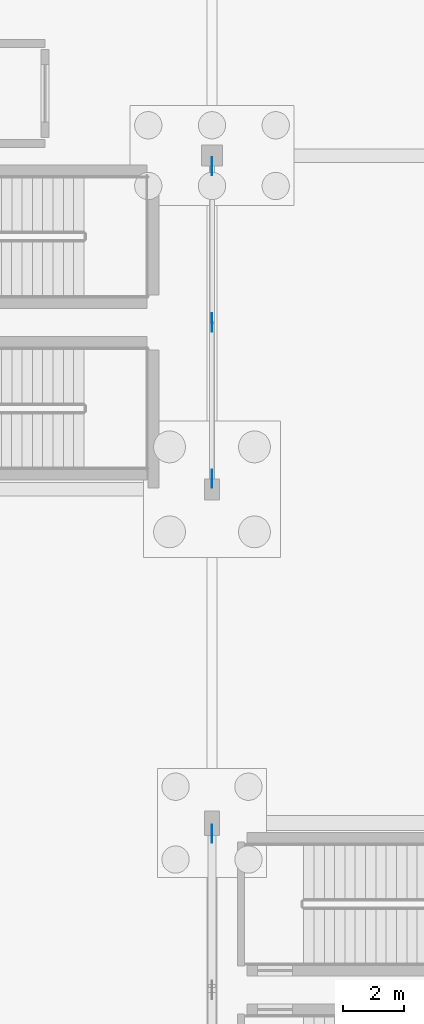
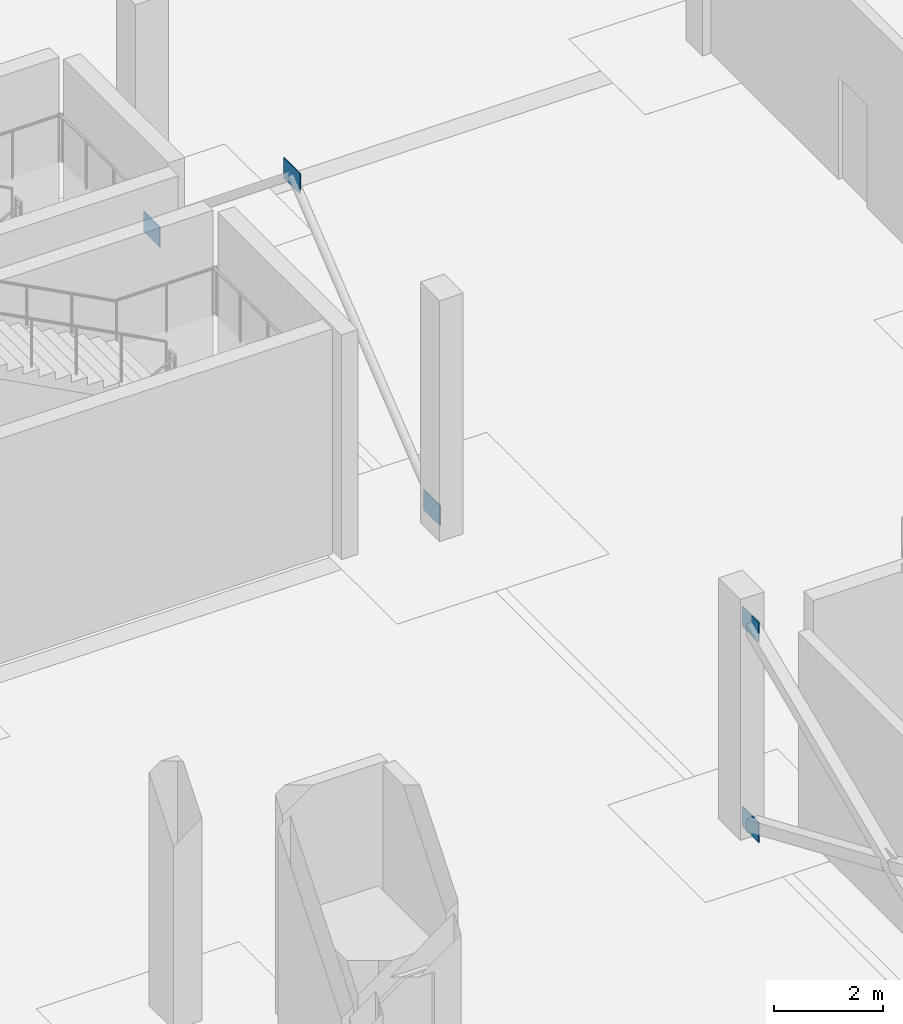
# One storey, part 28 of 60: 5 plates.
"""IFC4 building model written with IfcOpenShell, lengths in metres."""

from ifc_helpers import new_model, si_unit, direction, frame, origin, origin_2d, place, context, subcontext, project, spatial, rectangle, extrude, material, layer, layer_set, type_object, element, save


model = new_model("IFC4")

# Units and contexts
model_context = context("Model", 3, precision=1e-05, world=origin(), true_north=direction((0.0, 1.0)))
body_context = subcontext(model_context, "Body", "Model", "MODEL_VIEW")
ifc_project = project(units=[si_unit("LENGTHUNIT", "METRE"), si_unit("AREAUNIT", "SQUARE_METRE"), si_unit("VOLUMEUNIT", "CUBIC_METRE"), si_unit("PLANEANGLEUNIT", "RADIAN"), si_unit("MASSUNIT", "GRAM", prefix="KILO")], contexts=[model_context])

# Site, building, storey
site_placement = place(None, origin())
site = spatial("IfcSite", under=ifc_project, at=site_placement, CompositionType="ELEMENT")
building_placement = place(site_placement, origin())
building = spatial("IfcBuilding", under=site, at=building_placement, Name="Luwafu Chhajja Arena", CompositionType="ELEMENT")
storey_placement = place(building_placement, frame((0.0, 0.0, -5.39990234375)))
storey = spatial("IfcBuildingStorey", under=building, at=storey_placement, Name="B1", CompositionType="ELEMENT", Elevation=-5.39990234375)

# Plates
ifc_material = material(Name="Steel S355", Category="steel")
ifc_layer = layer(ifc_material, 0.02197265625, Name="Steel S355")
ifc_layer_set = layer_set([ifc_layer], Name="Steel S355")
plate_type = type_object("IfcPlateType", Name="Lateral Brace Gusset Plate BN-1", PredefinedType="USERDEFINED", material=ifc_layer_set)
for number, where, z_axis, x_axis, name in (
    (1, (164.0, 82.5, 4.35009765625), (0.0, 0.0, 1.0), (1.0, 0.0, 0.0), "B1 Chevron Apex Gusset Plate BN-1 15"),
    (2, (164.0, 77.35009765625, 0.02490234375), (0.0, 0.0, 1.0), (1.0, 0.0, 0.0), "B1 Brace Base Gusset BN-1 15A"),
    (3, (164.0, 87.64990234375, 0.02490234375), (0.0, 0.0, 1.0), (1.0, 0.0, 0.0), "B1 Brace Base Gusset BN-1 15B"),
    (4, (164.0, 65.64990234375, 0.01513671875), (0.0, 0.0, 1.0), (1.0, 0.0, 0.0), "B1 X-Brace Corner Gusset BN-1 02BR"),
    (5, (164.0, 65.64990234375, 4.5048828125), (0.0, 0.0, 1.0), (1.0, 0.0, 0.0), "B1 X-Brace Corner Gusset BN-1 02TR"),
):
    element("IfcPlate", number, at=place(storey_placement, frame(where, z_axis=z_axis, x_axis=x_axis)), inside=storey, type_object=plate_type, Name=name, ObjectType="GUSSET PLATE", PredefinedType="USERDEFINED", context=body_context, shape_type="SweptSolid", body=[
        extrude(rectangle(XDim=0.02197265625, YDim=0.60009765625, at=origin_2d()), origin(), (0.0, 0.0, 1.0), 0.449951171875),
    ])

save(model, "model.ifc")
